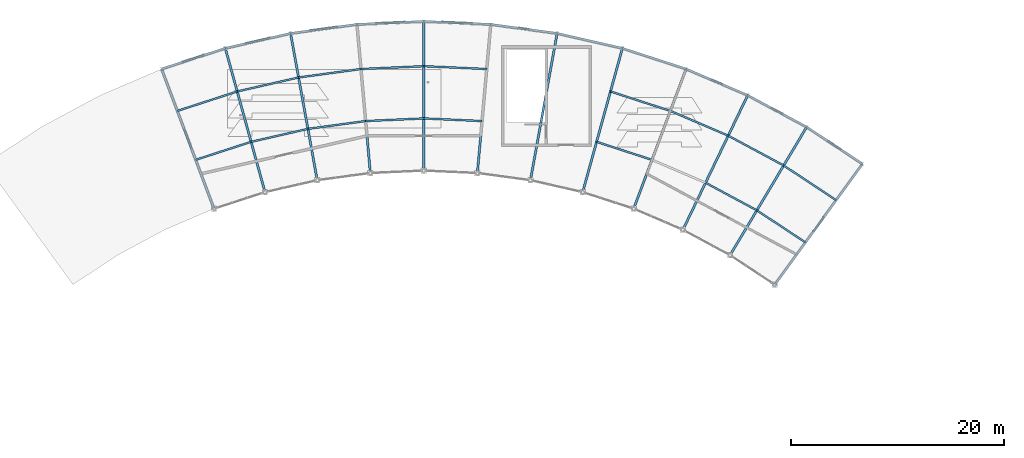
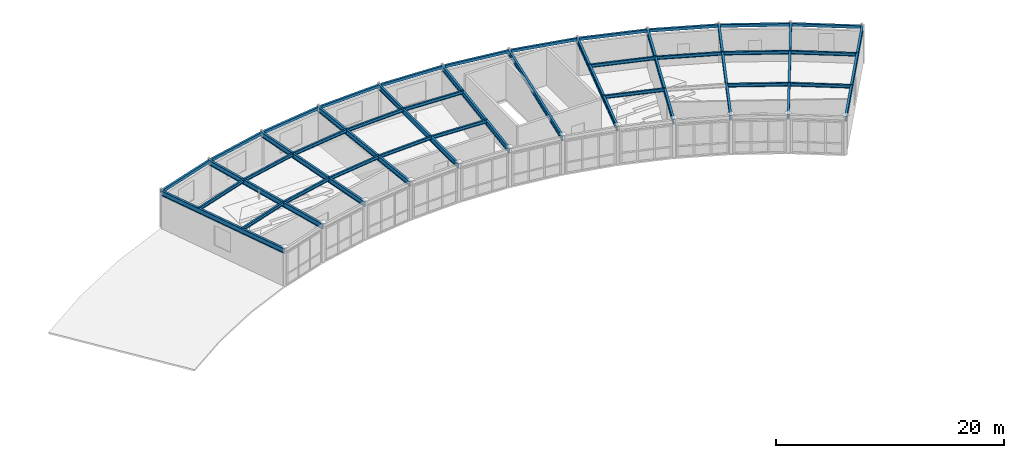
# One storey, part 28 of 54: 40 beams.
"""IFC4 building model written with IfcOpenShell, lengths in metres."""

from ifc_helpers import new_model, si_unit, direction, frame, origin, origin_2d, place, context, subcontext, project, spatial, hollow_rectangle, i_section, extrude, material, material_profile, profile_set, type_object, element, save


model = new_model("IFC4")

# Units and contexts
model_context = context("Model", 3, precision=1e-05, world=origin(), true_north=direction((0.0, 1.0)))
body_context = subcontext(model_context, "Body", "Model", "MODEL_VIEW")
ifc_project = project(units=[si_unit("LENGTHUNIT", "METRE"), si_unit("AREAUNIT", "SQUARE_METRE"), si_unit("VOLUMEUNIT", "CUBIC_METRE"), si_unit("PLANEANGLEUNIT", "RADIAN"), si_unit("MASSUNIT", "GRAM", prefix="KILO")], contexts=[model_context])

# Site, building, storey
site_placement = place(None, origin())
site = spatial("IfcSite", under=ifc_project, at=site_placement, CompositionType="ELEMENT")
building_placement = place(site_placement, origin())
building = spatial("IfcBuilding", under=site, at=building_placement, Name="Selat Folded Stagehouse", CompositionType="ELEMENT")
storey_placement = place(building_placement, frame((0.0, 0.0, 15.0)))
storey = spatial("IfcBuildingStorey", under=building, at=storey_placement, Name="L03", CompositionType="ELEMENT", Elevation=15.0)

# Beams
ifc_material = material(Name="Steel S355", Category="steel")
ifc_material_profile_1 = material_profile(ifc_material, i_section(OverallWidth=0.209228515625, OverallDepth=0.533203125, WebThickness=0.010009765625, FlangeThickness=0.015625, FilletRadius=0.0126953125, at=origin_2d()), Name="UKB 533x210x92")
ifc_profile_set_1 = profile_set([ifc_material_profile_1], Name="Steel S355")
beam_type_1 = type_object("IfcBeamType", Name="BM-GIRD-533x210x92", PredefinedType="BEAM", material=ifc_profile_set_1)
beam_1_placement = place(storey_placement, frame((72.722900390625, 90.42919921875, 3.75146484375), z_axis=(-0.35137378289, 0.936235261405, 0.0), x_axis=(-0.936235261405, -0.35137378289, 0.0)))
element("IfcBeam", 1, at=beam_1_placement, inside=storey, type_object=beam_type_1, Name="L03 curved rehearsal radial girder 4", PredefinedType="BEAM", context=body_context, shape_type="SweptSolid", body=[
    extrude(i_section(OverallWidth=0.209228515625, OverallDepth=0.533203125, WebThickness=0.010009765625, FlangeThickness=0.015625, FilletRadius=0.0126953125, at=origin_2d()), origin(), (0.0, 0.0, 1.0), 13.999755859375),
])
for number, where, z_axis, x_axis, name in (
    (2, (77.501953125, 91.98193359375, 3.75146484375), (-0.266045228685, 0.963960547063, 0.0), (-0.963960547063, -0.266045228685, 0.0), "L03 curved rehearsal radial girder 5"),
    (3, (82.40087890625, 93.10009765625, 3.75146484375), (-0.178572369459, 0.983926780236, 0.0), (-0.983926780236, -0.178572369459, 0.0), "L03 curved rehearsal radial girder 6"),
    (4, (87.380126953125, 93.774658203125, 3.75146484375), (-0.089634758742, 0.995974703507, 0.0), (-0.995974703507, -0.089634758742, 0.0), "L03 curved rehearsal radial girder 7"),
    (5, (92.39990234375, 94.0, 3.75146484375), (0.0, 1.0, 0.0), (-1.0, 0.0, 0.0), "L03 curved rehearsal radial girder 8"),
    (6, (97.419921875, 93.774658203125, 3.75146484375), (0.089634758742, 0.995974703507, 0.0), (-0.995974703507, 0.089634758742, 0.0), "L03 curved rehearsal radial girder 9"),
    (7, (102.399169921875, 93.10009765625, 3.75146484375), (0.178555486759, 0.983929844119, 0.0), (-0.983929844119, 0.178555486759, 0.0), "L03 curved rehearsal radial girder 10"),
    (8, (107.298095703125, 91.98193359375, 3.75146484375), (0.266045228685, 0.963960547063, 0.0), (-0.963960547063, 0.266045228685, 0.0), "L03 curved rehearsal radial girder 11"),
):
    element("IfcBeam", number, at=place(storey_placement, frame(where, z_axis=z_axis, x_axis=x_axis)), inside=storey, type_object=beam_type_1, Name=name, PredefinedType="BEAM", context=body_context, shape_type="SweptSolid", body=[
        extrude(i_section(OverallWidth=0.209228515625, OverallDepth=0.533203125, WebThickness=0.010009765625, FlangeThickness=0.015625, FilletRadius=0.0126953125, at=origin_2d()), origin(), (0.0, 0.0, 1.0), 14.0),
    ])
beam_2_placement = place(storey_placement, frame((112.076904296875, 90.42919921875, 3.75146484375), z_axis=(0.35137378289, 0.936235261405, 0.0), x_axis=(-0.936235261405, 0.35137378289, 0.0)))
element("IfcBeam", 9, at=beam_2_placement, inside=storey, type_object=beam_type_1, Name="L03 curved rehearsal radial girder 12", PredefinedType="BEAM", context=body_context, shape_type="SweptSolid", body=[
    extrude(i_section(OverallWidth=0.209228515625, OverallDepth=0.533203125, WebThickness=0.010009765625, FlangeThickness=0.015625, FilletRadius=0.0126953125, at=origin_2d()), origin(), (0.0, 0.0, 1.0), 13.999755859375),
])
for number, where, z_axis, x_axis, name in (
    (10, (116.697509765625, 88.454345703125, 3.75146484375), (0.433890071226, 0.900965818492, 0.0), (-0.900965818492, 0.433890071226, 0.0), "L03 curved rehearsal radial girder 13"),
    (11, (121.122314453125, 86.072998046875, 3.75146484375), (0.512902319154, 0.858446976234, 0.0), (-0.858446976234, 0.512902319154, 0.0), "L03 curved rehearsal radial girder 14"),
    (12, (125.31591796875, 83.304931640625, 3.75146484375), (0.587787980643, 0.809015012105, 0.0), (-0.809015012105, 0.587787980643, 0.0), "L03 curved rehearsal radial girder 15"),
):
    element("IfcBeam", number, at=place(storey_placement, frame(where, z_axis=z_axis, x_axis=x_axis)), inside=storey, type_object=beam_type_1, Name=name, PredefinedType="BEAM", context=body_context, shape_type="SweptSolid", body=[
        extrude(i_section(OverallWidth=0.209228515625, OverallDepth=0.533203125, WebThickness=0.010009765625, FlangeThickness=0.015625, FilletRadius=0.0126953125, at=origin_2d()), origin(), (0.0, 0.0, 1.0), 14.0),
    ])
ifc_material_profile_2 = material_profile(ifc_material, i_section(OverallWidth=0.17138671875, OverallDepth=0.35498046875, WebThickness=0.00732421875, FlangeThickness=0.011474609375, FilletRadius=0.01025390625, at=origin_2d()), Name="UKB 356x171x51")
ifc_profile_set_2 = profile_set([ifc_material_profile_2], Name="Steel S355")
beam_type_2 = type_object("IfcBeamType", Name="JST-356x171x51", PredefinedType="JOIST", material=ifc_profile_set_2)
beam_3_placement = place(storey_placement, frame((71.001220703125, 95.0166015625, 3.840576171875), z_axis=(0.951050811942, 0.309034550017, 0.0), x_axis=(-0.309034550017, 0.951050811942, 0.0)))
element("IfcBeam", 13, at=beam_3_placement, inside=storey, type_object=beam_type_2, Name="L03 curved rehearsal secondary joist 4.1", PredefinedType="JOIST", context=body_context, shape_type="SweptSolid", body=[
    extrude(i_section(OverallWidth=0.17138671875, OverallDepth=0.35498046875, WebThickness=0.00732421875, FlangeThickness=0.011474609375, FilletRadius=0.01025390625, at=origin_2d()), origin(), (0.0, 0.0, 1.0), 5.464599609375),
])
beam_4_placement = place(storey_placement, frame((69.279541015625, 99.604248046875, 3.840576171875), z_axis=(0.951058375783, 0.309011271401, 0.0), x_axis=(-0.309011271401, 0.951058375783, 0.0)))
element("IfcBeam", 14, at=beam_4_placement, inside=storey, type_object=beam_type_2, Name="L03 curved rehearsal secondary joist 4.2", PredefinedType="JOIST", context=body_context, shape_type="SweptSolid", body=[
    extrude(i_section(OverallWidth=0.17138671875, OverallDepth=0.35498046875, WebThickness=0.00732421875, FlangeThickness=0.011474609375, FilletRadius=0.01025390625, at=origin_2d()), origin(), (0.0, 0.0, 1.0), 5.904296875),
])
beam_5_placement = place(storey_placement, frame((76.1982421875, 96.705322265625, 3.840576171875), z_axis=(0.974925286492, 0.222532437541, 0.0), x_axis=(-0.222532437541, 0.974925286492, 0.0)))
element("IfcBeam", 15, at=beam_5_placement, inside=storey, type_object=beam_type_2, Name="L03 curved rehearsal secondary joist 5.1", PredefinedType="JOIST", context=body_context, shape_type="SweptSolid", body=[
    extrude(i_section(OverallWidth=0.17138671875, OverallDepth=0.35498046875, WebThickness=0.00732421875, FlangeThickness=0.011474609375, FilletRadius=0.01025390625, at=origin_2d()), origin(), (0.0, 0.0, 1.0), 5.464599609375),
])
beam_6_placement = place(storey_placement, frame((74.894775390625, 101.4287109375, 3.840576171875), z_axis=(0.974921599993, 0.222548587656, 0.0), x_axis=(-0.222548587656, 0.974921599993, 0.0)))
element("IfcBeam", 16, at=beam_6_placement, inside=storey, type_object=beam_type_2, Name="L03 curved rehearsal secondary joist 5.2", PredefinedType="JOIST", context=body_context, shape_type="SweptSolid", body=[
    extrude(i_section(OverallWidth=0.17138671875, OverallDepth=0.35498046875, WebThickness=0.00732421875, FlangeThickness=0.011474609375, FilletRadius=0.01025390625, at=origin_2d()), origin(), (0.0, 0.0, 1.0), 5.904052734375),
])
beam_7_placement = place(storey_placement, frame((81.52587890625, 97.92138671875, 3.840576171875), z_axis=(0.990952644722, 0.134211981278, 0.0), x_axis=(-0.134211981278, 0.990952644722, 0.0)))
element("IfcBeam", 17, at=beam_7_placement, inside=storey, type_object=beam_type_2, Name="L03 curved rehearsal secondary joist 6.1", PredefinedType="JOIST", context=body_context, shape_type="SweptSolid", body=[
    extrude(i_section(OverallWidth=0.17138671875, OverallDepth=0.35498046875, WebThickness=0.00732421875, FlangeThickness=0.011474609375, FilletRadius=0.01025390625, at=origin_2d()), origin(), (0.0, 0.0, 1.0), 5.464599609375),
])
beam_8_placement = place(storey_placement, frame((80.65087890625, 102.74267578125, 3.840576171875), z_axis=(0.990951300804, 0.13422190371, 0.0), x_axis=(-0.13422190371, 0.990951300804, 0.0)))
element("IfcBeam", 18, at=beam_8_placement, inside=storey, type_object=beam_type_2, Name="L03 curved rehearsal secondary joist 6.2", PredefinedType="JOIST", context=body_context, shape_type="SweptSolid", body=[
    extrude(i_section(OverallWidth=0.17138671875, OverallDepth=0.35498046875, WebThickness=0.00732421875, FlangeThickness=0.011474609375, FilletRadius=0.01025390625, at=origin_2d()), origin(), (0.0, 0.0, 1.0), 5.904296875),
])
beam_9_placement = place(storey_placement, frame((86.94091796875, 98.65478515625, 3.840576171875), z_axis=(0.998993444482, 0.044856414055, 0.0), x_axis=(-0.044856414055, 0.998993444482, 0.0)))
element("IfcBeam", 19, at=beam_9_placement, inside=storey, type_object=beam_type_2, Name="L03 curved rehearsal secondary joist 7.1", PredefinedType="JOIST", context=body_context, shape_type="SweptSolid", body=[
    extrude(i_section(OverallWidth=0.17138671875, OverallDepth=0.35498046875, WebThickness=0.00732421875, FlangeThickness=0.011474609375, FilletRadius=0.01025390625, at=origin_2d()), origin(), (0.0, 0.0, 1.0), 5.464599609375),
])
beam_10_placement = place(storey_placement, frame((86.501708984375, 103.53515625, 3.840576171875), z_axis=(0.998993033072, 0.044865575598, 0.0), x_axis=(-0.044865575598, 0.998993033072, 0.0)))
element("IfcBeam", 20, at=beam_10_placement, inside=storey, type_object=beam_type_2, Name="L03 curved rehearsal secondary joist 7.2", PredefinedType="JOIST", context=body_context, shape_type="SweptSolid", body=[
    extrude(i_section(OverallWidth=0.17138671875, OverallDepth=0.35498046875, WebThickness=0.00732421875, FlangeThickness=0.011474609375, FilletRadius=0.01025390625, at=origin_2d()), origin(), (0.0, 0.0, 1.0), 5.904052734375),
])
beam_11_placement = place(storey_placement, frame((92.39990234375, 98.89990234375, 3.840576171875), z_axis=(0.998993444482, -0.044856414055, 0.0), x_axis=(0.044856414055, 0.998993444482, 0.0)))
element("IfcBeam", 21, at=beam_11_placement, inside=storey, type_object=beam_type_2, Name="L03 curved rehearsal secondary joist 8.1", PredefinedType="JOIST", context=body_context, shape_type="SweptSolid", body=[
    extrude(i_section(OverallWidth=0.17138671875, OverallDepth=0.35498046875, WebThickness=0.00732421875, FlangeThickness=0.011474609375, FilletRadius=0.01025390625, at=origin_2d()), origin(), (0.0, 0.0, 1.0), 5.464599609375),
])
beam_12_placement = place(storey_placement, frame((92.39990234375, 103.800048828125, 3.840576171875), z_axis=(0.998993116303, -0.044863722317, 0.0), x_axis=(0.044863722317, 0.998993116303, 0.0)))
element("IfcBeam", 22, at=beam_12_placement, inside=storey, type_object=beam_type_2, Name="L03 curved rehearsal secondary joist 8.2", PredefinedType="JOIST", context=body_context, shape_type="SweptSolid", body=[
    extrude(i_section(OverallWidth=0.17138671875, OverallDepth=0.35498046875, WebThickness=0.00732421875, FlangeThickness=0.011474609375, FilletRadius=0.01025390625, at=origin_2d()), origin(), (0.0, 0.0, 1.0), 5.904296875),
])
beam_13_placement = place(storey_placement, frame((108.601806640625, 96.705322265625, 3.840576171875), z_axis=(0.95104654486, -0.309047681612, 0.0), x_axis=(0.309047681612, 0.95104654486, 0.0)))
element("IfcBeam", 23, at=beam_13_placement, inside=storey, type_object=beam_type_2, Name="L03 curved rehearsal secondary joist 11.1", PredefinedType="JOIST", context=body_context, shape_type="SweptSolid", body=[
    extrude(i_section(OverallWidth=0.17138671875, OverallDepth=0.35498046875, WebThickness=0.00732421875, FlangeThickness=0.011474609375, FilletRadius=0.01025390625, at=origin_2d()), origin(), (0.0, 0.0, 1.0), 5.46435546875),
])
for number, where, z_axis, x_axis, name in (
    (24, (109.9052734375, 101.4287109375, 3.840576171875), (0.951058375783, -0.309011271401, 0.0), (0.309011271401, 0.951058375783, 0.0), "L03 curved rehearsal secondary joist 11.2"),
    (25, (115.5205078125, 99.604248046875, 3.840576171875), (0.91952743413, -0.393025823429, 0.0), (0.393025823429, 0.91952743413, 0.0), "L03 curved rehearsal secondary joist 12.2"),
):
    element("IfcBeam", number, at=place(storey_placement, frame(where, z_axis=z_axis, x_axis=x_axis)), inside=storey, type_object=beam_type_2, Name=name, PredefinedType="JOIST", context=body_context, shape_type="SweptSolid", body=[
        extrude(i_section(OverallWidth=0.17138671875, OverallDepth=0.35498046875, WebThickness=0.00732421875, FlangeThickness=0.011474609375, FilletRadius=0.01025390625, at=origin_2d()), origin(), (0.0, 0.0, 1.0), 5.904296875),
    ])
beam_14_placement = place(storey_placement, frame((118.823486328125, 92.868896484375, 3.840576171875), z_axis=(0.880603050305, -0.47385469059, 0.0), x_axis=(0.47385469059, 0.880603050305, 0.0)))
element("IfcBeam", 26, at=beam_14_placement, inside=storey, type_object=beam_type_2, Name="L03 curved rehearsal secondary joist 13.1", PredefinedType="JOIST", context=body_context, shape_type="SweptSolid", body=[
    extrude(i_section(OverallWidth=0.17138671875, OverallDepth=0.35498046875, WebThickness=0.00732421875, FlangeThickness=0.011474609375, FilletRadius=0.01025390625, at=origin_2d()), origin(), (0.0, 0.0, 1.0), 5.46435546875),
])
beam_15_placement = place(storey_placement, frame((120.94970703125, 97.28369140625, 3.840576171875), z_axis=(0.880583938492, -0.473890205923, 0.0), x_axis=(0.473890205923, 0.880583938492, 0.0)))
element("IfcBeam", 27, at=beam_15_placement, inside=storey, type_object=beam_type_2, Name="L03 curved rehearsal secondary joist 13.2", PredefinedType="JOIST", context=body_context, shape_type="SweptSolid", body=[
    extrude(i_section(OverallWidth=0.17138671875, OverallDepth=0.35498046875, WebThickness=0.00732421875, FlangeThickness=0.011474609375, FilletRadius=0.01025390625, at=origin_2d()), origin(), (0.0, 0.0, 1.0), 5.904052734375),
])
beam_16_placement = place(storey_placement, frame((123.635498046875, 90.279541015625, 3.840576171875), z_axis=(0.834584757521, -0.550879553545, 0.0), x_axis=(0.550879553545, 0.834584757521, 0.0)))
element("IfcBeam", 28, at=beam_16_placement, inside=storey, type_object=beam_type_2, Name="L03 curved rehearsal secondary joist 14.1", PredefinedType="JOIST", context=body_context, shape_type="SweptSolid", body=[
    extrude(i_section(OverallWidth=0.17138671875, OverallDepth=0.35498046875, WebThickness=0.00732421875, FlangeThickness=0.011474609375, FilletRadius=0.01025390625, at=origin_2d()), origin(), (0.0, 0.0, 1.0), 5.46435546875),
])
beam_17_placement = place(storey_placement, frame((126.148681640625, 94.48583984375, 3.840576171875), z_axis=(0.834598760834, -0.550858337883, 0.0), x_axis=(0.550858337883, 0.834598760834, 0.0)))
element("IfcBeam", 29, at=beam_17_placement, inside=storey, type_object=beam_type_2, Name="L03 curved rehearsal secondary joist 14.2", PredefinedType="JOIST", context=body_context, shape_type="SweptSolid", body=[
    extrude(i_section(OverallWidth=0.17138671875, OverallDepth=0.35498046875, WebThickness=0.00732421875, FlangeThickness=0.011474609375, FilletRadius=0.01025390625, at=origin_2d()), origin(), (0.0, 0.0, 1.0), 5.904296875),
])
ifc_material_profile_3 = material_profile(ifc_material, hollow_rectangle(XDim=0.199951171875, YDim=0.300048828125, WallThickness=0.012451171875, at=origin_2d()), Name="RHS 300x200x12.5")
ifc_profile_set_3 = profile_set([ifc_material_profile_3], Name="Steel S355")
beam_type_3 = type_object("IfcBeamType", Name="SPD-RHS-300x200", PredefinedType="SPANDREL", material=ifc_profile_set_3)
for number, where, z_axis, x_axis, name in (
    (30, (67.8037109375, 103.536376953125, 3.867919921875), (0.951058059905, 0.309012243593, 0.0), (-0.309012243593, 0.951058059905, 0.0), "L03 outer curved rehearsal spandrel 4"),
    (31, (73.77734375, 105.477294921875, 3.867919921875), (0.974926249486, 0.222528218575, 0.0), (-0.222528218575, 0.974926249486, 0.0), "L03 outer curved rehearsal spandrel 5"),
):
    element("IfcBeam", number, at=place(storey_placement, frame(where, z_axis=z_axis, x_axis=x_axis)), inside=storey, type_object=beam_type_3, Name=name, PredefinedType="SPANDREL", context=body_context, shape_type="SweptSolid", body=[
        extrude(hollow_rectangle(XDim=0.199951171875, YDim=0.300048828125, WallThickness=0.012451171875, at=origin_2d()), origin(), (0.0, 0.0, 1.0), 6.281005859375),
    ])
beam_18_placement = place(storey_placement, frame((79.90087890625, 106.875, 3.867919921875), z_axis=(0.990947344037, 0.134251113014, 0.0), x_axis=(-0.134251113014, 0.990947344037, 0.0)))
element("IfcBeam", 32, at=beam_18_placement, inside=storey, type_object=beam_type_3, Name="L03 outer curved rehearsal spandrel 6", PredefinedType="SPANDREL", context=body_context, shape_type="SweptSolid", body=[
    extrude(hollow_rectangle(XDim=0.199951171875, YDim=0.300048828125, WallThickness=0.012451171875, at=origin_2d()), origin(), (0.0, 0.0, 1.0), 6.28125),
])
beam_19_placement = place(storey_placement, frame((86.125244140625, 107.71826171875, 3.867919921875), z_axis=(0.998993472837, 0.044855782563, 0.0), x_axis=(-0.044855782563, 0.998993472837, 0.0)))
element("IfcBeam", 33, at=beam_19_placement, inside=storey, type_object=beam_type_3, Name="L03 outer curved rehearsal spandrel 7", PredefinedType="SPANDREL", context=body_context, shape_type="SweptSolid", body=[
    extrude(hollow_rectangle(XDim=0.199951171875, YDim=0.300048828125, WallThickness=0.012451171875, at=origin_2d()), origin(), (0.0, 0.0, 1.0), 6.281005859375),
])
beam_20_placement = place(storey_placement, frame((92.39990234375, 108.0, 3.867919921875), z_axis=(0.99899355104, -0.044854040849, 0.0), x_axis=(0.044854040849, 0.99899355104, 0.0)))
element("IfcBeam", 34, at=beam_20_placement, inside=storey, type_object=beam_type_3, Name="L03 outer curved rehearsal spandrel 8", PredefinedType="SPANDREL", context=body_context, shape_type="SweptSolid", body=[
    extrude(hollow_rectangle(XDim=0.199951171875, YDim=0.300048828125, WallThickness=0.012451171875, at=origin_2d()), origin(), (0.0, 0.0, 1.0), 6.28125),
])
beam_21_placement = place(storey_placement, frame((98.6748046875, 107.71826171875, 3.867919921875), z_axis=(0.990946643459, -0.134256284087, 0.0), x_axis=(0.134256284087, 0.990946643459, 0.0)))
element("IfcBeam", 35, at=beam_21_placement, inside=storey, type_object=beam_type_3, Name="L03 outer curved rehearsal spandrel 9", PredefinedType="SPANDREL", context=body_context, shape_type="SweptSolid", body=[
    extrude(hollow_rectangle(XDim=0.199951171875, YDim=0.300048828125, WallThickness=0.012451171875, at=origin_2d()), origin(), (0.0, 0.0, 1.0), 6.281005859375),
])
beam_22_placement = place(storey_placement, frame((104.89892578125, 106.875, 3.867919921875), z_axis=(0.974928174151, -0.22251978619, 0.0), x_axis=(0.22251978619, 0.974928174151, 0.0)))
element("IfcBeam", 36, at=beam_22_placement, inside=storey, type_object=beam_type_3, Name="L03 outer curved rehearsal spandrel 10", PredefinedType="SPANDREL", context=body_context, shape_type="SweptSolid", body=[
    extrude(hollow_rectangle(XDim=0.199951171875, YDim=0.300048828125, WallThickness=0.012451171875, at=origin_2d()), origin(), (0.0, 0.0, 1.0), 6.28125),
])
beam_23_placement = place(storey_placement, frame((111.022705078125, 105.477294921875, 3.867919921875), z_axis=(0.951054348109, -0.309023667285, 0.0), x_axis=(0.309023667285, 0.951054348109, 0.0)))
element("IfcBeam", 37, at=beam_23_placement, inside=storey, type_object=beam_type_3, Name="L03 outer curved rehearsal spandrel 11", PredefinedType="SPANDREL", context=body_context, shape_type="SweptSolid", body=[
    extrude(hollow_rectangle(XDim=0.199951171875, YDim=0.300048828125, WallThickness=0.012451171875, at=origin_2d()), origin(), (0.0, 0.0, 1.0), 6.28076171875),
])
beam_24_placement = place(storey_placement, frame((116.99609375, 103.536376953125, 3.867919921875), z_axis=(0.919540617607, -0.392994977793, 0.0), x_axis=(0.392994977793, 0.919540617607, 0.0)))
element("IfcBeam", 38, at=beam_24_placement, inside=storey, type_object=beam_type_3, Name="L03 outer curved rehearsal spandrel 12", PredefinedType="SPANDREL", context=body_context, shape_type="SweptSolid", body=[
    extrude(hollow_rectangle(XDim=0.199951171875, YDim=0.300048828125, WallThickness=0.012451171875, at=origin_2d()), origin(), (0.0, 0.0, 1.0), 6.28125),
])
for number, where, z_axis, x_axis, name in (
    (39, (122.77197265625, 101.06787109375, 3.867919921875), (0.880582156138, -0.473893517883, 0.0), (0.473893517883, 0.880582156138, 0.0), "L03 outer curved rehearsal spandrel 13"),
    (40, (128.302978515625, 98.09130859375, 3.867919921875), (0.834571163011, -0.550900148729, 0.0), (0.550900148729, 0.834571163011, 0.0), "L03 outer curved rehearsal spandrel 14"),
):
    element("IfcBeam", number, at=place(storey_placement, frame(where, z_axis=z_axis, x_axis=x_axis)), inside=storey, type_object=beam_type_3, Name=name, PredefinedType="SPANDREL", context=body_context, shape_type="SweptSolid", body=[
        extrude(hollow_rectangle(XDim=0.199951171875, YDim=0.300048828125, WallThickness=0.012451171875, at=origin_2d()), origin(), (0.0, 0.0, 1.0), 6.281005859375),
    ])

save(model, "model.ifc")
